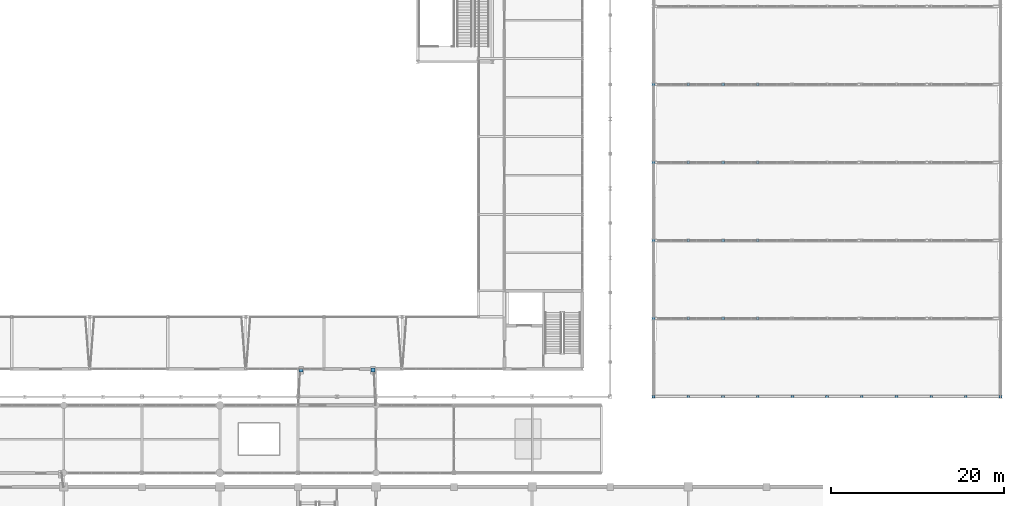
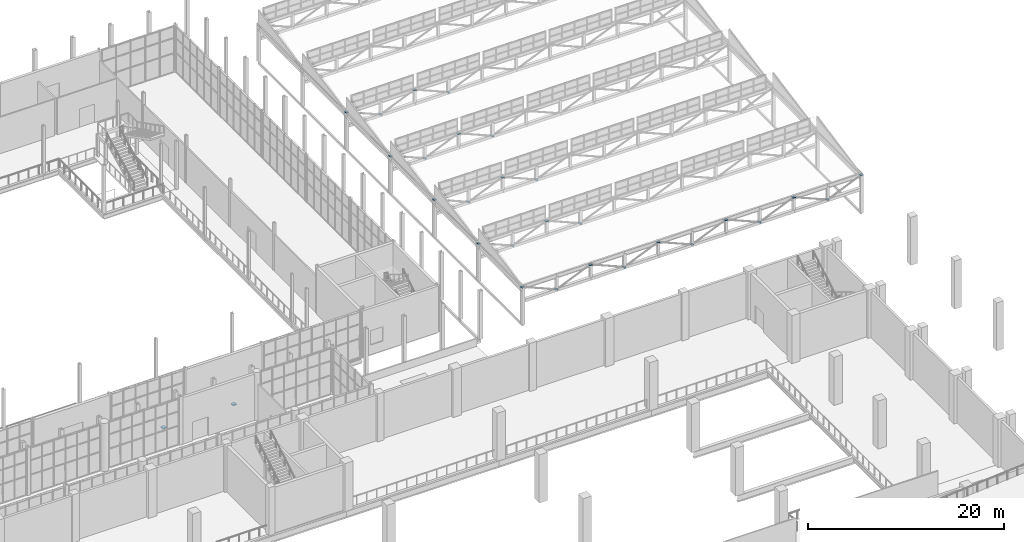
# One storey, part 137 of 159: 29 discrete accessories.
"""IFC4 building model written with IfcOpenShell, lengths in metres."""

from ifc_helpers import new_model, si_unit, direction, frame, origin, origin_2d, place, context, subcontext, project, spatial, rectangle, extrude, material, type_object, element, save


model = new_model("IFC4")

# Units and contexts
model_context = context("Model", 3, precision=1e-05, world=origin(), true_north=direction((0.0, 1.0)))
body_context = subcontext(model_context, "Body", "Model", "MODEL_VIEW")
ifc_project = project(units=[si_unit("LENGTHUNIT", "METRE"), si_unit("AREAUNIT", "SQUARE_METRE"), si_unit("VOLUMEUNIT", "CUBIC_METRE"), si_unit("PLANEANGLEUNIT", "RADIAN"), si_unit("MASSUNIT", "GRAM", prefix="KILO")], contexts=[model_context])

# Site, building, storey
site_placement = place(None, origin())
site = spatial("IfcSite", under=ifc_project, at=site_placement, CompositionType="ELEMENT")
building_placement = place(site_placement, origin())
building = spatial("IfcBuilding", under=site, at=building_placement, Name="Cazmaro Siding Exhibition Halls", CompositionType="ELEMENT")
storey_placement = place(building_placement, frame((0.0, 0.0, 6.0)))
storey = spatial("IfcBuildingStorey", under=building, at=storey_placement, Name="L01", CompositionType="ELEMENT", Elevation=6.0)

# Discrete accessories
ifc_material_1 = material(Name="PTFE Stainless Steel Elastomeric Bearing Assembly", Category="steel")
discrete_accessory_type_1 = type_object("IfcDiscreteAccessoryType", Name="SB-PTFE-01", PredefinedType="USERDEFINED", material=ifc_material_1)
for number, where, z_axis, x_axis, name in (
    (1, (135.35009765625, 67.050048828125, -0.571044921875), (0.0, 0.0, 1.0), (1.0, 0.0, 0.0), "Unguided Bi-Directional PTFE Sliding Bearing SB-02 L01"),
    (2, (143.64990234375, 67.050048828125, -0.571044921875), (0.0, 0.0, 1.0), (1.0, 0.0, 0.0), "Unguided Bi-Directional PTFE Sliding Bearing SB-02 L01"),
):
    element("IfcDiscreteAccessory", number, at=place(storey_placement, frame(where, z_axis=z_axis, x_axis=x_axis)), inside=storey, type_object=discrete_accessory_type_1, Name=name, ObjectType="SLIDING BEARING", PredefinedType="USERDEFINED", context=body_context, shape_type="SweptSolid", body=[
        extrude(rectangle(XDim=0.449951171875, YDim=0.449951171875, at=origin_2d()), origin(), (0.0, 0.0, 1.0), 0.1201171875),
    ])
ifc_material_2 = material(Name="Steel ASTM A572 Grade 50", Category="steel")
discrete_accessory_type_2 = type_object("IfcDiscreteAccessoryType", Name="GP-CONN-01", PredefinedType="BRACKET", material=ifc_material_2)
for number, where, z_axis, x_axis, name in (
    (3, (176.0, 64.0, 4.634765625), (0.0, 0.0, 1.0), (1.0, 0.0, 0.0), "Welded Steel Brace Node Gusset Connection GP-01 0812"),
    (4, (176.0, 73.0, 4.634765625), (0.0, 0.0, 1.0), (1.0, 0.0, 0.0), "Welded Steel Brace Node Gusset Connection GP-01 0813"),
    (5, (176.0, 82.0, 4.634765625), (0.0, 0.0, 1.0), (1.0, 0.0, 0.0), "Welded Steel Brace Node Gusset Connection GP-01 0814"),
    (6, (176.0, 91.0, 4.634765625), (0.0, 0.0, 1.0), (1.0, 0.0, 0.0), "Welded Steel Brace Node Gusset Connection GP-01 0815"),
    (7, (176.0, 100.0, 4.634765625), (0.0, 0.0, 1.0), (1.0, 0.0, 0.0), "Welded Steel Brace Node Gusset Connection GP-01 0816"),
    (8, (180.0, 64.0, 2.93505859375), (0.0, 0.0, 1.0), (1.0, 0.0, 0.0), "Welded Steel Brace Node Gusset Connection GP-01 0830"),
    (9, (180.0, 73.0, 2.93505859375), (0.0, 0.0, 1.0), (1.0, 0.0, 0.0), "Welded Steel Brace Node Gusset Connection GP-01 0831"),
    (10, (180.0, 82.0, 2.93505859375), (0.0, 0.0, 1.0), (1.0, 0.0, 0.0), "Welded Steel Brace Node Gusset Connection GP-01 0832"),
    (11, (180.0, 91.0, 2.93505859375), (0.0, 0.0, 1.0), (1.0, 0.0, 0.0), "Welded Steel Brace Node Gusset Connection GP-01 0833"),
    (12, (180.0, 100.0, 2.93505859375), (0.0, 0.0, 1.0), (1.0, 0.0, 0.0), "Welded Steel Brace Node Gusset Connection GP-01 0834"),
    (13, (184.0, 64.0, 4.634765625), (0.0, 0.0, 1.0), (1.0, 0.0, 0.0), "Welded Steel Brace Node Gusset Connection GP-01 0837"),
    (14, (184.0, 73.0, 4.634765625), (0.0, 0.0, 1.0), (1.0, 0.0, 0.0), "Welded Steel Brace Node Gusset Connection GP-01 0838"),
    (15, (184.0, 82.0, 4.634765625), (0.0, 0.0, 1.0), (1.0, 0.0, 0.0), "Welded Steel Brace Node Gusset Connection GP-01 0839"),
    (16, (184.0, 91.0, 4.634765625), (0.0, 0.0, 1.0), (1.0, 0.0, 0.0), "Welded Steel Brace Node Gusset Connection GP-01 0840"),
    (17, (184.0, 100.0, 4.634765625), (0.0, 0.0, 1.0), (1.0, 0.0, 0.0), "Welded Steel Brace Node Gusset Connection GP-01 0841"),
    (18, (188.0, 64.0, 2.93505859375), (0.0, 0.0, 1.0), (1.0, 0.0, 0.0), "Welded Steel Brace Node Gusset Connection GP-01 0844"),
    (19, (188.0, 73.0, 2.93505859375), (0.0, 0.0, 1.0), (1.0, 0.0, 0.0), "Welded Steel Brace Node Gusset Connection GP-01 0845"),
    (20, (188.0, 82.0, 2.93505859375), (0.0, 0.0, 1.0), (1.0, 0.0, 0.0), "Welded Steel Brace Node Gusset Connection GP-01 0846"),
    (21, (188.0, 91.0, 2.93505859375), (0.0, 0.0, 1.0), (1.0, 0.0, 0.0), "Welded Steel Brace Node Gusset Connection GP-01 0847"),
    (22, (188.0, 100.0, 2.93505859375), (0.0, 0.0, 1.0), (1.0, 0.0, 0.0), "Welded Steel Brace Node Gusset Connection GP-01 0848"),
    (23, (192.0, 64.0, 4.634765625), (0.0, 0.0, 1.0), (1.0, 0.0, 0.0), "Welded Steel Brace Node Gusset Connection GP-01 0862"),
    (24, (196.0, 64.0, 2.93505859375), (0.0, 0.0, 1.0), (1.0, 0.0, 0.0), "Welded Steel Brace Node Gusset Connection GP-01 0869"),
    (25, (200.0, 64.0, 4.634765625), (0.0, 0.0, 1.0), (1.0, 0.0, 0.0), "Welded Steel Brace Node Gusset Connection GP-01 0887"),
    (26, (204.0, 64.0, 2.93505859375), (0.0, 0.0, 1.0), (1.0, 0.0, 0.0), "Welded Steel Brace Node Gusset Connection GP-01 0894"),
    (27, (208.0, 64.0, 4.634765625), (0.0, 0.0, 1.0), (1.0, 0.0, 0.0), "Welded Steel Brace Node Gusset Connection GP-01 0912"),
    (28, (212.0, 64.0, 2.93505859375), (0.0, 0.0, 1.0), (1.0, 0.0, 0.0), "Welded Steel Brace Node Gusset Connection GP-01 0919"),
    (29, (216.0, 64.0, 4.634765625), (0.0, 0.0, 1.0), (1.0, 0.0, 0.0), "Welded Steel Brace Node Gusset Connection GP-01 0926"),
):
    element("IfcDiscreteAccessory", number, at=place(storey_placement, frame(where, z_axis=z_axis, x_axis=x_axis)), inside=storey, type_object=discrete_accessory_type_2, Name=name, PredefinedType="BRACKET", context=body_context, shape_type="SweptSolid", body=[
        extrude(rectangle(XDim=0.320068359375, YDim=0.320068359375, at=origin_2d()), origin(), (0.0, 0.0, 1.0), 0.030029296875),
    ])

save(model, "model.ifc")
